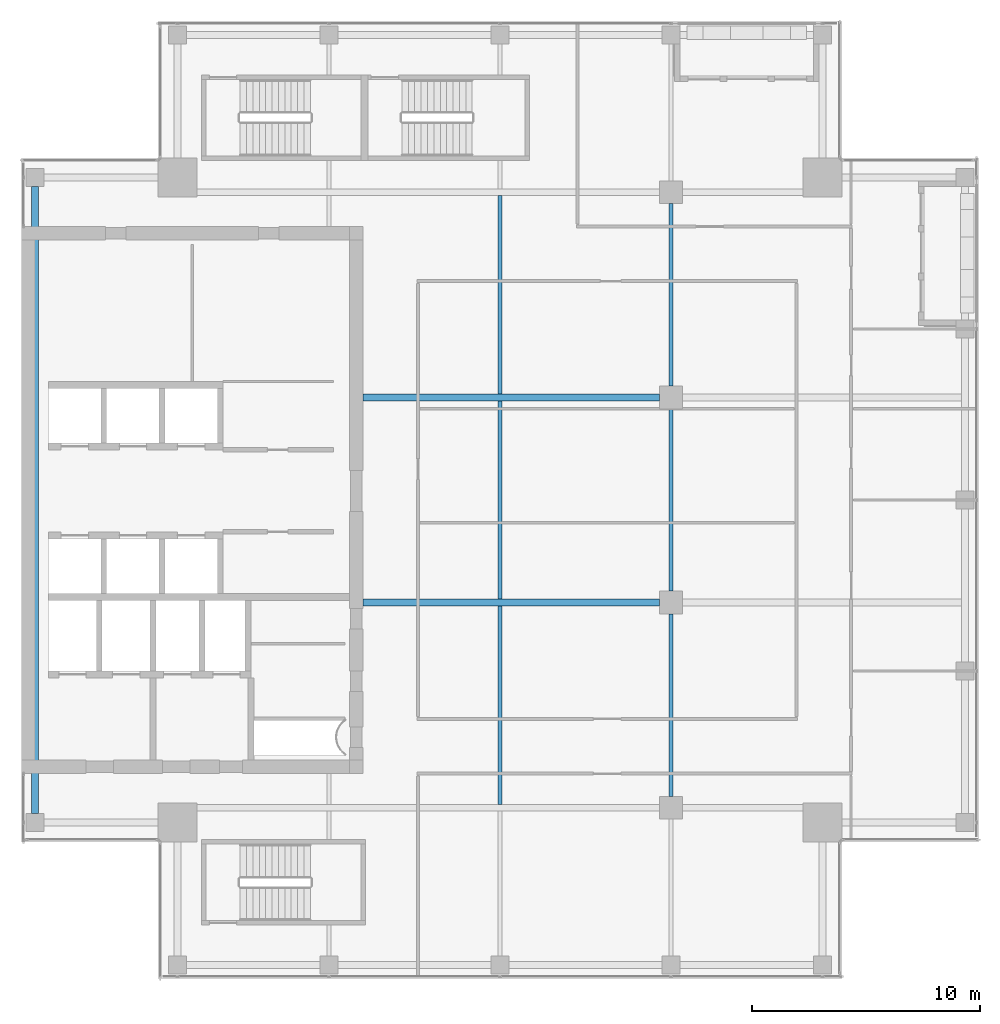
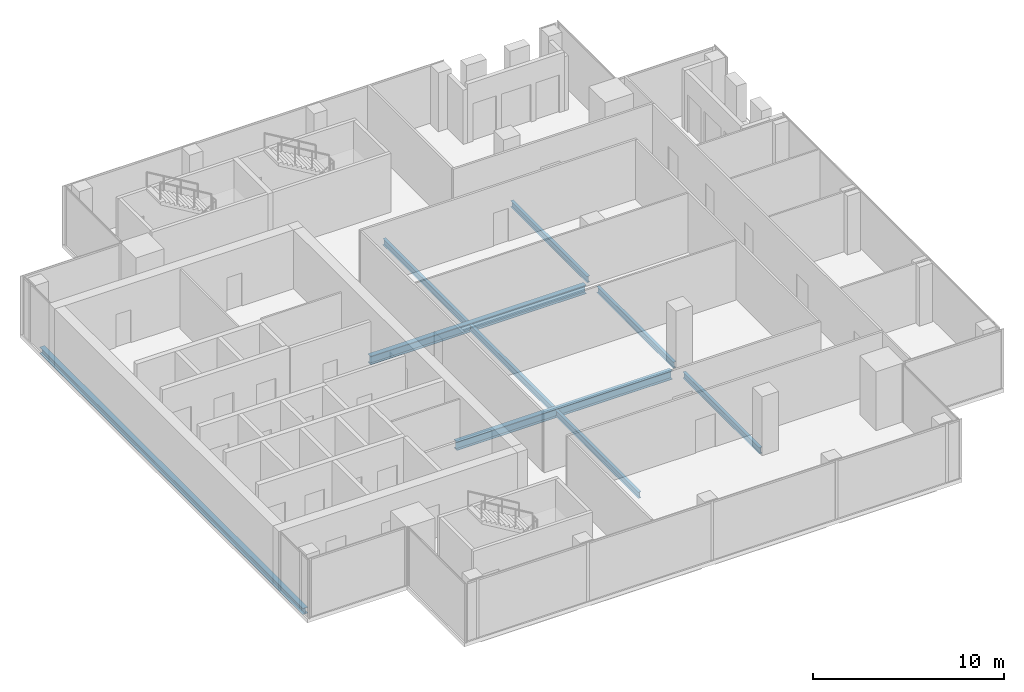
# One storey, part 8 of 29: 9 beams.
"""IFC4 building model written with IfcOpenShell, lengths in metres."""

from ifc_helpers import new_model, si_unit, direction, frame, origin, origin_2d, place, context, subcontext, project, spatial, i_section, extrude, source, transform, mapped, material, material_profile, profile_set, type_object, element, save


model = new_model("IFC4")

# Units and contexts
model_context = context("Model", 3, precision=1e-05, world=origin(), true_north=direction((0.0, 1.0)))
body_context = subcontext(model_context, "Body", "Model", "MODEL_VIEW")
ifc_project = project(units=[si_unit("LENGTHUNIT", "METRE"), si_unit("AREAUNIT", "SQUARE_METRE"), si_unit("VOLUMEUNIT", "CUBIC_METRE"), si_unit("PLANEANGLEUNIT", "RADIAN"), si_unit("MASSUNIT", "GRAM", prefix="KILO")], contexts=[model_context])

# Site, building, storey
site_placement = place(None, origin())
site = spatial("IfcSite", under=ifc_project, at=site_placement, CompositionType="ELEMENT")
building_placement = place(site_placement, origin())
building = spatial("IfcBuilding", under=site, at=building_placement, Name="Khomas Fold Tower", CompositionType="ELEMENT")
storey_placement = place(building_placement, frame((0.0, 0.0, 314.199951171875)))
storey = spatial("IfcBuildingStorey", under=building, at=storey_placement, Name="L71", CompositionType="ELEMENT", Elevation=314.199951171875)

# Beams
ifc_material_1 = material(Name="Steel S355", Category="steel")
ifc_material_profile_1 = material_profile(ifc_material_1, i_section(OverallWidth=0.179931640625, OverallDepth=0.39990234375, WebThickness=0.008544921875, FlangeThickness=0.013427734375, at=origin_2d()), Name="IPE 400")
ifc_profile_set_1 = profile_set([ifc_material_profile_1], Name="Steel S355")
beam_type_1 = type_object("IfcBeamType", Name="IPE 400 beam JB3", PredefinedType="BEAM", material=ifc_profile_set_1)
shared_shape_1 = source(origin(), body_context, "Body", "SweptSolid", [
    extrude(i_section(OverallWidth=0.179931640625, OverallDepth=0.39990234375, WebThickness=0.008544921875, FlangeThickness=0.013427734375, at=origin_2d()), origin(), (0.0, 0.0, 1.0), 8.7001953125),
])
for number, where, z_axis, x_axis, name in (
    (1, (27.0, 13.64990234375, -0.449951171875), (0.0, 1.0, 0.0), (-1.0, 0.0, 0.0), "JB3"),
    (2, (27.0, 22.64990234375, -0.449951171875), (0.0, 1.0, 0.0), (-1.0, 0.0, 0.0), "JB3"),
    (3, (27.0, 31.64990234375, -0.449951171875), (0.0, 1.0, 0.0), (-1.0, 0.0, 0.0), "JB3"),
):
    element("IfcBeam", number, at=place(storey_placement, frame(where, z_axis=z_axis, x_axis=x_axis)), inside=storey, type_object=beam_type_1, Name=name, PredefinedType="BEAM", context=body_context, shape_type="MappedRepresentation", body=[
        mapped(shared_shape_1, transform((0.0, 0.0, 0.0))),
    ])
ifc_material_2 = material(Name="Steel S355", Category="steel")
ifc_material_profile_2 = material_profile(ifc_material_2, i_section(OverallWidth=0.300048828125, OverallDepth=0.39990234375, WebThickness=0.013427734375, FlangeThickness=0.02392578125, at=origin_2d()), Name="HE 400 B")
ifc_profile_set_2 = profile_set([ifc_material_profile_2], Name="Steel S355")
beam_type_2 = type_object("IfcBeamType", Name="HE 400 B spandrel SB5", PredefinedType="SPANDREL", material=ifc_profile_set_2)
shared_shape_2 = source(origin(), body_context, "Body", "SweptSolid", [
    extrude(i_section(OverallWidth=0.300048828125, OverallDepth=0.39990234375, WebThickness=0.013427734375, FlangeThickness=0.02392578125, at=origin_2d()), origin(), (0.0, 0.0, 1.0), 27.5),
])
beam_placement = place(storey_placement, frame((6.60009765625, 13.25, -0.449951171875), z_axis=(0.0, 1.0, 0.0), x_axis=(-1.0, 0.0, 0.0)))
element("IfcBeam", 4, at=beam_placement, inside=storey, type_object=beam_type_2, Name="SB5", PredefinedType="SPANDREL", context=body_context, shape_type="MappedRepresentation", body=[
    mapped(shared_shape_2, transform((0.0, 0.0, 0.0))),
])
ifc_material_3 = material(Name="Steel S355", Category="steel")
ifc_material_profile_3 = material_profile(ifc_material_3, i_section(OverallWidth=0.300048828125, OverallDepth=0.550048828125, WebThickness=0.014892578125, FlangeThickness=0.029052734375, at=origin_2d()), Name="HE 550 B")
ifc_profile_set_3 = profile_set([ifc_material_profile_3], Name="Steel S355")
beam_type_3 = type_object("IfcBeamType", Name="HE 550 B beam GB4", PredefinedType="BEAM", material=ifc_profile_set_3)
shared_shape_3 = source(origin(), body_context, "Body", "SweptSolid", [
    extrude(i_section(OverallWidth=0.300048828125, OverallDepth=0.550048828125, WebThickness=0.014892578125, FlangeThickness=0.029052734375, at=origin_2d()), origin(), (0.0, 0.0, 1.0), 13.0),
])
for number, where, z_axis, x_axis, name in (
    (5, (21.0, 22.5, -0.52490234375), (1.0, 0.0, 0.0), (0.0, 1.0, 0.0), "GB4"),
    (6, (21.0, 31.5, -0.52490234375), (1.0, 0.0, 0.0), (0.0, 1.0, 0.0), "GB4"),
):
    element("IfcBeam", number, at=place(storey_placement, frame(where, z_axis=z_axis, x_axis=x_axis)), inside=storey, type_object=beam_type_3, Name=name, PredefinedType="BEAM", context=body_context, shape_type="MappedRepresentation", body=[
        mapped(shared_shape_3, transform((0.0, 0.0, 0.0))),
    ])
shared_shape_4 = source(origin(), body_context, "Body", "SweptSolid", [
    extrude(i_section(OverallWidth=0.179931640625, OverallDepth=0.39990234375, WebThickness=0.008544921875, FlangeThickness=0.013427734375, at=origin_2d()), origin(), (0.0, 0.0, 1.0), 8.0),
])
for number, where, z_axis, x_axis, name in (
    (7, (34.5, 14.0, -0.449951171875), (0.0, 1.0, 0.0), (-1.0, 0.0, 0.0), "JB3"),
    (8, (34.5, 23.0, -0.449951171875), (0.0, 1.0, 0.0), (-1.0, 0.0, 0.0), "JB3"),
    (9, (34.5, 32.0, -0.449951171875), (0.0, 1.0, 0.0), (-1.0, 0.0, 0.0), "JB3"),
):
    element("IfcBeam", number, at=place(storey_placement, frame(where, z_axis=z_axis, x_axis=x_axis)), inside=storey, type_object=beam_type_1, Name=name, PredefinedType="BEAM", context=body_context, shape_type="MappedRepresentation", body=[
        mapped(shared_shape_4, transform((0.0, 0.0, 0.0))),
    ])

save(model, "model.ifc")
